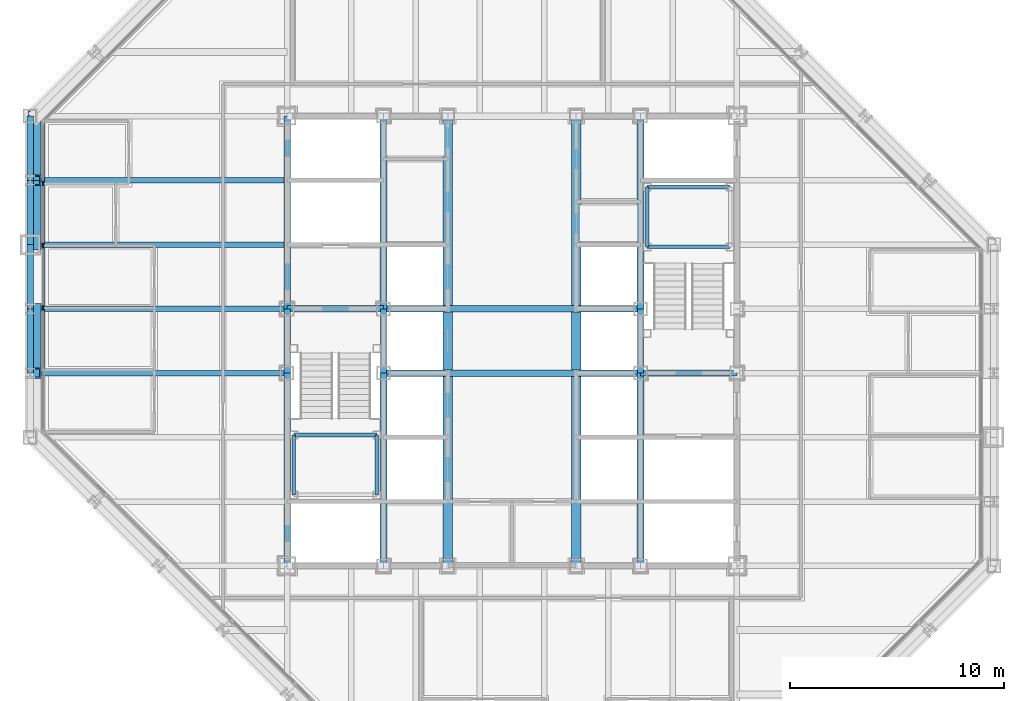
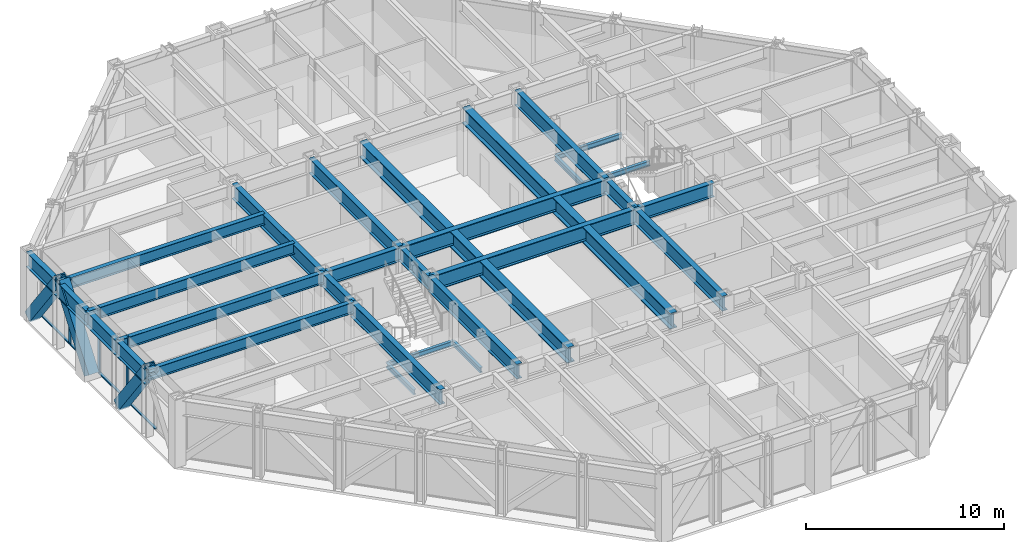
# One storey, part 6 of 16: 33 beams, 10 members, 1 element without a shape of its own.
"""IFC4 building model written with IfcOpenShell, lengths in metres."""

from ifc_helpers import new_model, si_unit, direction, frame, origin, origin_2d, place, context, subcontext, project, spatial, rectangle, hollow_rectangle, i_section, extrude, material, layer, layer_set, material_profile, profile_set, type_object, element, aggregate, save


model = new_model("IFC4")

# Units and contexts
model_context = context("Model", 3, precision=1e-05, world=origin(), true_north=direction((0.0, 1.0)))
body_context = subcontext(model_context, "Body", "Model", "MODEL_VIEW")
ifc_project = project(units=[si_unit("LENGTHUNIT", "METRE"), si_unit("AREAUNIT", "SQUARE_METRE"), si_unit("VOLUMEUNIT", "CUBIC_METRE"), si_unit("PLANEANGLEUNIT", "RADIAN"), si_unit("MASSUNIT", "GRAM", prefix="KILO")], contexts=[model_context])

# Site, building, storey
site_placement = place(None, origin())
site = spatial("IfcSite", under=ifc_project, at=site_placement, CompositionType="ELEMENT")
building_placement = place(site_placement, origin())
building = spatial("IfcBuilding", under=site, at=building_placement, Name="Chuquiago Exchange Tower", CompositionType="ELEMENT")
storey_placement = place(building_placement, frame((0.0, 0.0, 205.5)))
storey = spatial("IfcBuildingStorey", under=building, at=storey_placement, Name="L45", CompositionType="ELEMENT", Elevation=205.5)

# Beams
ifc_material_1 = material(Name="Steel ASTM A992", Category="steel")
ifc_material_profile_1 = material_profile(ifc_material_1, i_section(OverallWidth=0.25390625, OverallDepth=0.683349609375, WebThickness=0.012451171875, FlangeThickness=0.018798828125, at=origin_2d()), Name="W27X94")
ifc_profile_set_1 = profile_set([ifc_material_profile_1], Name="Steel ASTM A992")
beam_type_1 = type_object("IfcBeamType", Name="B1 W27X94", PredefinedType="BEAM", material=ifc_profile_set_1)
for number, where, z_axis, x_axis, name in (
    (1, (12.0, 21.0, 3.698486328125), (-1.0, 0.0, 0.0), (0.0, -1.0, 0.0), "FB-L46-infill-12_21--0_21-0"),
    (2, (12.0, 24.0, 3.698486328125), (-1.0, 0.0, 0.0), (0.0, -1.0, 0.0), "FB-L46-infill-12_24--0_24-0"),
    (3, (12.0, 27.0, 3.698486328125), (-1.0, 0.0, 0.0), (0.0, -1.0, 0.0), "FB-L46-infill-12_27--0_27-0"),
    (4, (12.0, 30.0, 3.698486328125), (-1.0, 0.0, 0.0), (0.0, -1.0, 0.0), "FB-L46-infill-12_30--0_30-0"),
):
    element("IfcBeam", number, at=place(storey_placement, frame(where, z_axis=z_axis, x_axis=x_axis)), inside=storey, type_object=beam_type_1, Name=name, PredefinedType="BEAM", context=body_context, shape_type="SweptSolid", body=[
        extrude(i_section(OverallWidth=0.25390625, OverallDepth=0.683349609375, WebThickness=0.012451171875, FlangeThickness=0.018798828125, at=origin_2d()), origin(), (0.0, 0.0, 1.0), 12.0),
    ])
ifc_material_2 = material(Name="Steel ASTM A992", Category="steel")
ifc_material_profile_2 = material_profile(ifc_material_2, i_section(OverallWidth=0.307373046875, OverallDepth=0.927001953125, WebThickness=0.01953125, FlangeThickness=0.031982421875, at=origin_2d()), Name="W36X194")
ifc_profile_set_2 = profile_set([ifc_material_profile_2], Name="Steel ASTM A992")
beam_type_2 = type_object("IfcBeamType", Name="B10 W36X194", PredefinedType="BEAM", material=ifc_profile_set_2)
for number, where, z_axis, x_axis, name in (
    (5, (12.0, 12.0, 3.576416015625), (0.0, 1.0, 0.0), (-1.0, 0.0, 0.0), "CB-L46-12_12-12_21"),
    (6, (12.0, 24.0, 3.576416015625), (0.0, 1.0, 0.0), (-1.0, 0.0, 0.0), "CB-L46-12_24-12_33"),
    (7, (16.5, 12.0, 3.576416015625), (0.0, 1.0, 0.0), (-1.0, 0.0, 0.0), "CB-L46-16.5_12-16.5_21"),
    (8, (16.5, 24.0, 3.576416015625), (0.0, 1.0, 0.0), (-1.0, 0.0, 0.0), "CB-L46-16.5_24-16.5_33"),
    (9, (28.5, 12.0, 3.576416015625), (0.0, 1.0, 0.0), (-1.0, 0.0, 0.0), "CB-L46-28.5_12-28.5_21"),
    (10, (28.5, 24.0, 3.576416015625), (0.0, 1.0, 0.0), (-1.0, 0.0, 0.0), "CB-L46-28.5_24-28.5_33"),
):
    element("IfcBeam", number, at=place(storey_placement, frame(where, z_axis=z_axis, x_axis=x_axis)), inside=storey, type_object=beam_type_2, Name=name, PredefinedType="BEAM", context=body_context, shape_type="SweptSolid", body=[
        extrude(i_section(OverallWidth=0.307373046875, OverallDepth=0.927001953125, WebThickness=0.01953125, FlangeThickness=0.031982421875, at=origin_2d()), origin(), (0.0, 0.0, 1.0), 9.0),
    ])
ifc_material_3 = material(Name="Steel ASTM A992", Category="steel")
ifc_material_profile_3 = material_profile(ifc_material_3, i_section(OverallWidth=0.309814453125, OverallDepth=0.949951171875, WebThickness=0.0244140625, FlangeThickness=0.0439453125, at=origin_2d()), Name="W36X256")
ifc_profile_set_3 = profile_set([ifc_material_profile_3], Name="Steel ASTM A992")
beam_type_3 = type_object("IfcBeamType", Name="B11 W36X256", PredefinedType="BEAM", material=ifc_profile_set_3)
for number, where, z_axis, x_axis, name in (
    (11, (16.5, 21.0, 3.56494140625), (1.0, 0.0, 0.0), (0.0, 1.0, 0.0), "CB-L46-16.5_21-28.5_21"),
    (12, (16.5, 24.0, 3.56494140625), (1.0, 0.0, 0.0), (0.0, 1.0, 0.0), "CB-L46-16.5_24-28.5_24"),
):
    element("IfcBeam", number, at=place(storey_placement, frame(where, z_axis=z_axis, x_axis=x_axis)), inside=storey, type_object=beam_type_3, Name=name, PredefinedType="BEAM", context=body_context, shape_type="SweptSolid", body=[
        extrude(i_section(OverallWidth=0.309814453125, OverallDepth=0.949951171875, WebThickness=0.0244140625, FlangeThickness=0.0439453125, at=origin_2d()), origin(), (0.0, 0.0, 1.0), 12.0),
    ])
ifc_material_4 = material(Name="Steel ASTM A992", Category="steel")
ifc_material_profile_4 = material_profile(ifc_material_4, i_section(OverallWidth=0.4267578125, OverallDepth=0.975341796875, WebThickness=0.031005859375, FlangeThickness=0.055908203125, at=origin_2d()), Name="W36X395")
ifc_profile_set_4 = profile_set([ifc_material_profile_4], Name="Steel ASTM A992")
beam_type_4 = type_object("IfcBeamType", Name="B12 W36X395", PredefinedType="BEAM", material=ifc_profile_set_4)
beam_1_placement = place(storey_placement, frame((19.5, 12.0, 3.55224609375), z_axis=(0.0, 1.0, 0.0), x_axis=(-1.0, 0.0, 0.0)))
element("IfcBeam", 13, at=beam_1_placement, inside=storey, type_object=beam_type_4, Name="CB-L46-19.5_12-19.5_20.8451", PredefinedType="BEAM", context=body_context, shape_type="SweptSolid", body=[
    extrude(i_section(OverallWidth=0.4267578125, OverallDepth=0.975341796875, WebThickness=0.031005859375, FlangeThickness=0.055908203125, at=origin_2d()), origin(), (0.0, 0.0, 1.0), 8.84521484375),
])
beam_2_placement = place(storey_placement, frame((19.5, 21.15478515625, 3.55224609375), z_axis=(0.0, 1.0, 0.0), x_axis=(-1.0, 0.0, 0.0)))
element("IfcBeam", 14, at=beam_2_placement, inside=storey, type_object=beam_type_4, Name="CB-L46-19.5_21.1549-19.5_23.8451", PredefinedType="BEAM", context=body_context, shape_type="SweptSolid", body=[
    extrude(i_section(OverallWidth=0.4267578125, OverallDepth=0.975341796875, WebThickness=0.031005859375, FlangeThickness=0.055908203125, at=origin_2d()), origin(), (0.0, 0.0, 1.0), 2.6904296875),
])
for number, where, z_axis, x_axis, name in (
    (15, (19.5, 24.15478515625, 3.55224609375), (0.0, 1.0, 0.0), (-1.0, 0.0, 0.0), "CB-L46-19.5_24.1549-19.5_33"),
    (16, (25.5, 12.0, 3.55224609375), (0.0, 1.0, 0.0), (-1.0, 0.0, 0.0), "CB-L46-25.5_12-25.5_20.8451"),
):
    element("IfcBeam", number, at=place(storey_placement, frame(where, z_axis=z_axis, x_axis=x_axis)), inside=storey, type_object=beam_type_4, Name=name, PredefinedType="BEAM", context=body_context, shape_type="SweptSolid", body=[
        extrude(i_section(OverallWidth=0.4267578125, OverallDepth=0.975341796875, WebThickness=0.031005859375, FlangeThickness=0.055908203125, at=origin_2d()), origin(), (0.0, 0.0, 1.0), 8.84521484375),
    ])
beam_3_placement = place(storey_placement, frame((25.5, 21.15478515625, 3.55224609375), z_axis=(0.0, 1.0, 0.0), x_axis=(-1.0, 0.0, 0.0)))
element("IfcBeam", 17, at=beam_3_placement, inside=storey, type_object=beam_type_4, Name="CB-L46-25.5_21.1549-25.5_23.8451", PredefinedType="BEAM", context=body_context, shape_type="SweptSolid", body=[
    extrude(i_section(OverallWidth=0.4267578125, OverallDepth=0.975341796875, WebThickness=0.031005859375, FlangeThickness=0.055908203125, at=origin_2d()), origin(), (0.0, 0.0, 1.0), 2.6904296875),
])
beam_4_placement = place(storey_placement, frame((25.5, 24.15478515625, 3.55224609375), z_axis=(0.0, 1.0, 0.0), x_axis=(-1.0, 0.0, 0.0)))
element("IfcBeam", 18, at=beam_4_placement, inside=storey, type_object=beam_type_4, Name="CB-L46-25.5_24.1549-25.5_33", PredefinedType="BEAM", context=body_context, shape_type="SweptSolid", body=[
    extrude(i_section(OverallWidth=0.4267578125, OverallDepth=0.975341796875, WebThickness=0.031005859375, FlangeThickness=0.055908203125, at=origin_2d()), origin(), (0.0, 0.0, 1.0), 8.84521484375),
])
ifc_material_5 = material(Name="Steel ASTM A992", Category="steel")
ifc_material_profile_5 = material_profile(ifc_material_5, i_section(OverallWidth=0.2919921875, OverallDepth=0.8583984375, WebThickness=0.01708984375, FlangeThickness=0.031005859375, at=origin_2d()), Name="W33X169")
ifc_profile_set_5 = profile_set([ifc_material_profile_5], Name="Steel ASTM A992")
beam_type_5 = type_object("IfcBeamType", Name="B3 W33X169", PredefinedType="BEAM", material=ifc_profile_set_5)
for number, where, z_axis, x_axis, name in (
    (19, (12.0, 21.0, 3.610595703125), (0.0, 1.0, 0.0), (-1.0, 0.0, 0.0), "CB-L46-12_21-12_24"),
    (20, (16.5, 21.0, 3.610595703125), (0.0, 1.0, 0.0), (-1.0, 0.0, 0.0), "CB-L46-16.5_21-16.5_24"),
    (21, (28.5, 21.0, 3.610595703125), (0.0, 1.0, 0.0), (-1.0, 0.0, 0.0), "CB-L46-28.5_21-28.5_24"),
):
    element("IfcBeam", number, at=place(storey_placement, frame(where, z_axis=z_axis, x_axis=x_axis)), inside=storey, type_object=beam_type_5, Name=name, PredefinedType="BEAM", context=body_context, shape_type="SweptSolid", body=[
        extrude(i_section(OverallWidth=0.2919921875, OverallDepth=0.8583984375, WebThickness=0.01708984375, FlangeThickness=0.031005859375, at=origin_2d()), origin(), (0.0, 0.0, 1.0), 3.0),
    ])
for number, where, z_axis, x_axis, name in (
    (22, (28.5, 21.0, 3.610595703125), (1.0, 0.0, 0.0), (0.0, 1.0, 0.0), "CB-L46-28.5_21-33_21"),
    (23, (12.0, 24.0, 3.610595703125), (1.0, 0.0, 0.0), (0.0, 1.0, 0.0), "CB-L46-12_24-16.5_24"),
):
    element("IfcBeam", number, at=place(storey_placement, frame(where, z_axis=z_axis, x_axis=x_axis)), inside=storey, type_object=beam_type_5, Name=name, PredefinedType="BEAM", context=body_context, shape_type="SweptSolid", body=[
        extrude(i_section(OverallWidth=0.2919921875, OverallDepth=0.8583984375, WebThickness=0.01708984375, FlangeThickness=0.031005859375, at=origin_2d()), origin(), (0.0, 0.0, 1.0), 4.5),
    ])

# Curtain wall, members
ifc_material_6 = material(Name="Aluminium curtain wall system", Category="aluminium")
ifc_layer = layer(ifc_material_6, 0.22509765625)
ifc_layer_set = layer_set([ifc_layer], Name="CW2 office curtain wall")
curtain_wall_type = type_object("IfcCurtainWallType", Name="CW2 office curtain wall", PredefinedType="NOTDEFINED", material=ifc_layer_set)
curtain_wall_placement = place(storey_placement, origin())
curtain_wall = element("IfcCurtainWall", 24, at=curtain_wall_placement, inside=storey, type_object=curtain_wall_type, Name="CW2 curtain wall L45", PredefinedType="NOTDEFINED")
ifc_material_7 = material(Name="Aluminium mullion, pale anodised", Category="aluminium")
ifc_material_profile_6 = material_profile(ifc_material_7, rectangle(XDim=0.06494140625, YDim=0.22509765625, at=origin_2d()), Name="AL 65x225")
ifc_profile_set_6 = profile_set([ifc_material_profile_6], Name="Aluminium mullion, pale anodised")
member_type_1 = type_object("IfcMemberType", Name="CW2-M mullion 65x225", PredefinedType="MULLION", material=ifc_profile_set_6)
member_1_placement = place(storey_placement, frame((0.60009765625, 29.850830078125, 0.0), z_axis=(0.0, 0.0, 1.0), x_axis=(1.0, 0.0, 0.0)))
member_1 = element("IfcMember", 25, at=member_1_placement, type_object=member_type_1, Name="CW2 mullion 2", PredefinedType="MULLION", context=body_context, shape_type="SweptSolid", body=[
    extrude(rectangle(XDim=0.06494140625, YDim=0.22509765625, at=origin_2d()), origin(), (0.0, 0.0, 1.0), 4.0400390625),
])
member_2_placement = place(storey_placement, frame((0.60009765625, 26.9501953125, 0.0), z_axis=(0.0, 0.0, 1.0), x_axis=(1.0, 0.0, 0.0)))
member_2 = element("IfcMember", 26, at=member_2_placement, type_object=member_type_1, Name="CW2 mullion 3", PredefinedType="MULLION", context=body_context, shape_type="SweptSolid", body=[
    extrude(rectangle(XDim=0.06494140625, YDim=0.22509765625, at=origin_2d()), origin(), (0.0, 0.0, 1.0), 4.0400390625),
])
member_3_placement = place(storey_placement, frame((0.60009765625, 24.0498046875, 0.0), z_axis=(0.0, 0.0, 1.0), x_axis=(1.0, 0.0, 0.0)))
member_3 = element("IfcMember", 27, at=member_3_placement, type_object=member_type_1, Name="CW2 mullion 4", PredefinedType="MULLION", context=body_context, shape_type="SweptSolid", body=[
    extrude(rectangle(XDim=0.06494140625, YDim=0.22509765625, at=origin_2d()), origin(), (0.0, 0.0, 1.0), 4.0400390625),
])
ifc_material_8 = material(Name="Aluminium transom, pale anodised", Category="aluminium")
ifc_material_profile_7 = material_profile(ifc_material_8, rectangle(XDim=0.139892578125, YDim=0.06494140625, at=origin_2d()), Name="AL 140x65")
ifc_profile_set_7 = profile_set([ifc_material_profile_7], Name="Aluminium transom, pale anodised")
member_type_2 = type_object("IfcMemberType", Name="CW2-T transom 65x140", PredefinedType="MULLION", material=ifc_profile_set_7)
member_4_placement = place(storey_placement, frame((0.60009765625, 32.6865234375, 0.032470703125), z_axis=(0.0, -1.0, 0.0), x_axis=(1.0, 0.0, 0.0)))
member_4 = element("IfcMember", 28, at=member_4_placement, type_object=member_type_2, Name="CW2 transom 1.1", PredefinedType="MULLION", context=body_context, shape_type="SweptSolid", body=[
    extrude(rectangle(XDim=0.139892578125, YDim=0.06494140625, at=origin_2d()), origin(), (0.0, 0.0, 1.0), 2.80322265625),
])
member_5_placement = place(storey_placement, frame((0.60009765625, 29.818359375, 0.032470703125), z_axis=(0.0, -1.0, 0.0), x_axis=(1.0, 0.0, 0.0)))
member_5 = element("IfcMember", 29, at=member_5_placement, type_object=member_type_2, Name="CW2 transom 2.1", PredefinedType="MULLION", context=body_context, shape_type="SweptSolid", body=[
    extrude(rectangle(XDim=0.139892578125, YDim=0.06494140625, at=origin_2d()), origin(), (0.0, 0.0, 1.0), 2.83544921875),
])
member_6_placement = place(storey_placement, frame((0.60009765625, 26.917724609375, 0.032470703125), z_axis=(0.0, -1.0, 0.0), x_axis=(1.0, 0.0, 0.0)))
member_6 = element("IfcMember", 30, at=member_6_placement, type_object=member_type_2, Name="CW2 transom 3.1", PredefinedType="MULLION", context=body_context, shape_type="SweptSolid", body=[
    extrude(rectangle(XDim=0.139892578125, YDim=0.06494140625, at=origin_2d()), origin(), (0.0, 0.0, 1.0), 2.83544921875),
])
member_7_placement = place(storey_placement, frame((0.60009765625, 24.01708984375, 0.032470703125), z_axis=(0.0, -1.0, 0.0), x_axis=(1.0, 0.0, 0.0)))
member_7 = element("IfcMember", 31, at=member_7_placement, type_object=member_type_2, Name="CW2 transom 4.1", PredefinedType="MULLION", context=body_context, shape_type="SweptSolid", body=[
    extrude(rectangle(XDim=0.139892578125, YDim=0.06494140625, at=origin_2d()), origin(), (0.0, 0.0, 1.0), 2.83544921875),
])
aggregate(curtain_wall, [member_1, member_2, member_3, member_4, member_5, member_6, member_7])

# Beams
ifc_material_9 = material(Name="Steel ASTM A992", Category="steel")
ifc_material_profile_8 = material_profile(ifc_material_9, i_section(OverallWidth=0.164794921875, OverallDepth=0.309814453125, WebThickness=0.005859375, FlangeThickness=0.009765625, at=origin_2d()), Name="W12X26")
ifc_profile_set_8 = profile_set([ifc_material_profile_8], Name="Steel ASTM A992")
beam_type_6 = type_object("IfcBeamType", Name="LS1 W12X26", PredefinedType="BEAM", material=ifc_profile_set_8)
for number, where, z_axis, x_axis, name in (
    (32, (12.31005859375, 15.31005859375, 1.7451171875), (0.0, 1.0, 0.0), (-1.0, 0.0, 0.0), "Stair ST1 L45 landing 1 stringer"),
    (33, (16.18994140625, 15.31005859375, 1.7451171875), (0.0, 1.0, 0.0), (-1.0, 0.0, 0.0), "Stair ST1 L45 landing 1 stringer"),
    (34, (28.81005859375, 26.889892578125, 1.7451171875), (0.0, 1.0, 0.0), (-1.0, 0.0, 0.0), "Stair ST2 L45 landing 1 stringer"),
):
    element("IfcBeam", number, at=place(storey_placement, frame(where, z_axis=z_axis, x_axis=x_axis)), inside=storey, type_object=beam_type_6, Name=name, PredefinedType="BEAM", context=body_context, shape_type="SweptSolid", body=[
        extrude(i_section(OverallWidth=0.164794921875, OverallDepth=0.309814453125, WebThickness=0.005859375, FlangeThickness=0.009765625, at=origin_2d()), origin(), (0.0, 0.0, 1.0), 2.800048828125),
    ])
ifc_material_10 = material(Name="Steel ASTM A992", Category="steel")
ifc_material_profile_9 = material_profile(ifc_material_10, i_section(OverallWidth=0.164794921875, OverallDepth=0.309814453125, WebThickness=0.005859375, FlangeThickness=0.009765625, at=origin_2d()), Name="W12X26")
ifc_profile_set_9 = profile_set([ifc_material_profile_9], Name="Steel ASTM A992")
beam_type_7 = type_object("IfcBeamType", Name="LT1 W12X26", PredefinedType="BEAM", material=ifc_profile_set_9)
for number, where, z_axis, x_axis, name in (
    (35, (12.31005859375, 18.110107421875, 1.7451171875), (1.0, 0.0, 0.0), (0.0, 1.0, 0.0), "Stair ST1 L45 landing 1 trimmer"),
    (36, (28.81005859375, 29.68994140625, 1.7451171875), (1.0, 0.0, 0.0), (0.0, 1.0, 0.0), "Stair ST2 L45 landing 1 trimmer"),
    (37, (28.81005859375, 26.889892578125, 1.7451171875), (1.0, 0.0, 0.0), (0.0, 1.0, 0.0), "Stair ST2 L45 landing 1 trimmer"),
):
    element("IfcBeam", number, at=place(storey_placement, frame(where, z_axis=z_axis, x_axis=x_axis)), inside=storey, type_object=beam_type_7, Name=name, PredefinedType="BEAM", context=body_context, shape_type="SweptSolid", body=[
        extrude(i_section(OverallWidth=0.164794921875, OverallDepth=0.309814453125, WebThickness=0.005859375, FlangeThickness=0.009765625, at=origin_2d()), origin(), (0.0, 0.0, 1.0), 3.8798828125),
    ])

# Members
ifc_material_11 = material(Name="Steel ASTM A572 Grade 50", Category="steel")
ifc_material_profile_10 = material_profile(ifc_material_11, hollow_rectangle(XDim=0.60009765625, YDim=0.60009765625, WallThickness=0.06005859375, at=origin_2d()), Name="BOX600X600X60")
ifc_profile_set_10 = profile_set([ifc_material_profile_10], Name="Steel ASTM A572 Grade 50")
member_type_3 = type_object("IfcMemberType", Name="MB3 BOX600X600X60", PredefinedType="BRACE", material=ifc_profile_set_10)
for number, where, z_axis, x_axis, name in (
    (38, (0.205078125, 33.0, 0.0), (0.0, -0.596173923302, 0.802855312728), (1.0, 0.0, 0.0), "Mega diagonal L45 W face"),
    (39, (0.205078125, 27.0, 0.0), (0.0, 0.596173923302, 0.802855312728), (-1.0, 0.0, 0.0), "Mega diagonal L45 W face"),
    (40, (0.205078125, 24.0, 0.0), (0.0, -0.596173923302, 0.802855312728), (1.0, 0.0, 0.0), "Mega diagonal L45 W face"),
):
    element("IfcMember", number, at=place(storey_placement, frame(where, z_axis=z_axis, x_axis=x_axis)), inside=storey, type_object=member_type_3, Name=name, PredefinedType="BRACE", context=body_context, shape_type="SweptSolid", body=[
        extrude(hollow_rectangle(XDim=0.60009765625, YDim=0.60009765625, WallThickness=0.06005859375, at=origin_2d()), origin(), (0.0, 0.0, 1.0), 5.031982421875),
    ])

# Beams
ifc_material_12 = material(Name="Steel ASTM A992", Category="steel")
ifc_material_profile_11 = material_profile(ifc_material_12, i_section(OverallWidth=0.307373046875, OverallDepth=0.927001953125, WebThickness=0.01953125, FlangeThickness=0.031982421875, at=origin_2d()), Name="W36X194")
ifc_profile_set_11 = profile_set([ifc_material_profile_11], Name="Steel ASTM A992")
beam_type_8 = type_object("IfcBeamType", Name="SP3 W36X194", PredefinedType="SPANDREL", material=ifc_profile_set_11)
for number, where, z_axis, x_axis, name in (
    (41, (0.0, 33.0, 3.576416015625), (0.0, -1.0, 0.0), (1.0, 0.0, 0.0), "SPB-L46-0_33-0_30"),
    (42, (0.0, 30.0, 3.576416015625), (0.0, -1.0, 0.0), (1.0, 0.0, 0.0), "SPB-L46-0_30-0_27"),
    (43, (0.0, 27.0, 3.576416015625), (0.0, -1.0, 0.0), (1.0, 0.0, 0.0), "SPB-L46-0_27-0_24"),
    (44, (0.0, 24.0, 3.576416015625), (0.0, -1.0, 0.0), (1.0, 0.0, 0.0), "SPB-L46-0_24-0_21"),
):
    element("IfcBeam", number, at=place(storey_placement, frame(where, z_axis=z_axis, x_axis=x_axis)), inside=storey, type_object=beam_type_8, Name=name, PredefinedType="SPANDREL", context=body_context, shape_type="SweptSolid", body=[
        extrude(i_section(OverallWidth=0.307373046875, OverallDepth=0.927001953125, WebThickness=0.01953125, FlangeThickness=0.031982421875, at=origin_2d()), origin(), (0.0, 0.0, 1.0), 3.0),
    ])

save(model, "model.ifc")
